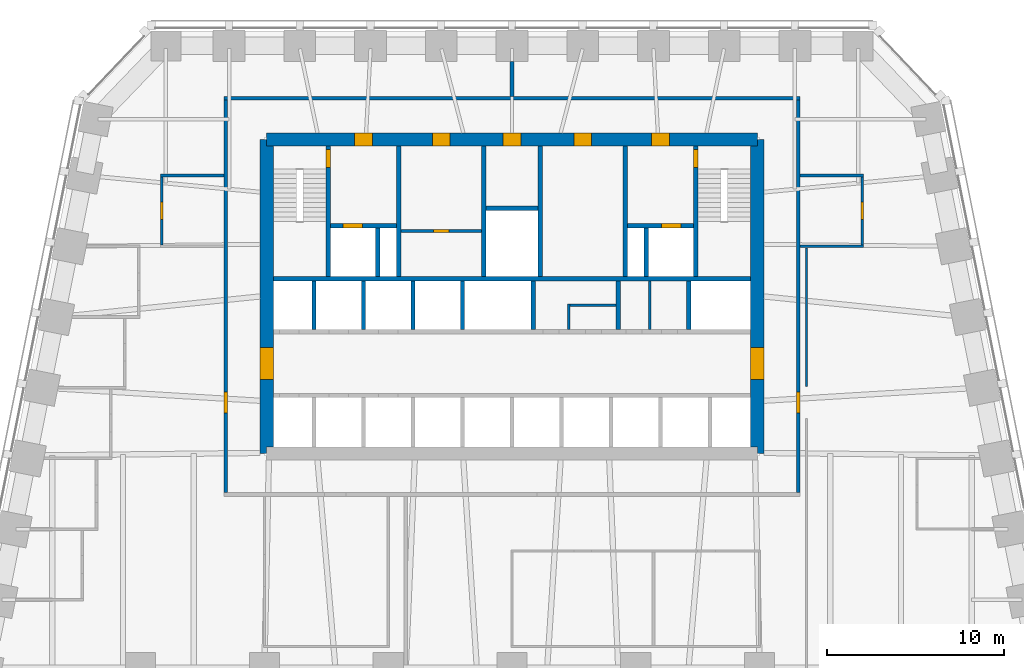
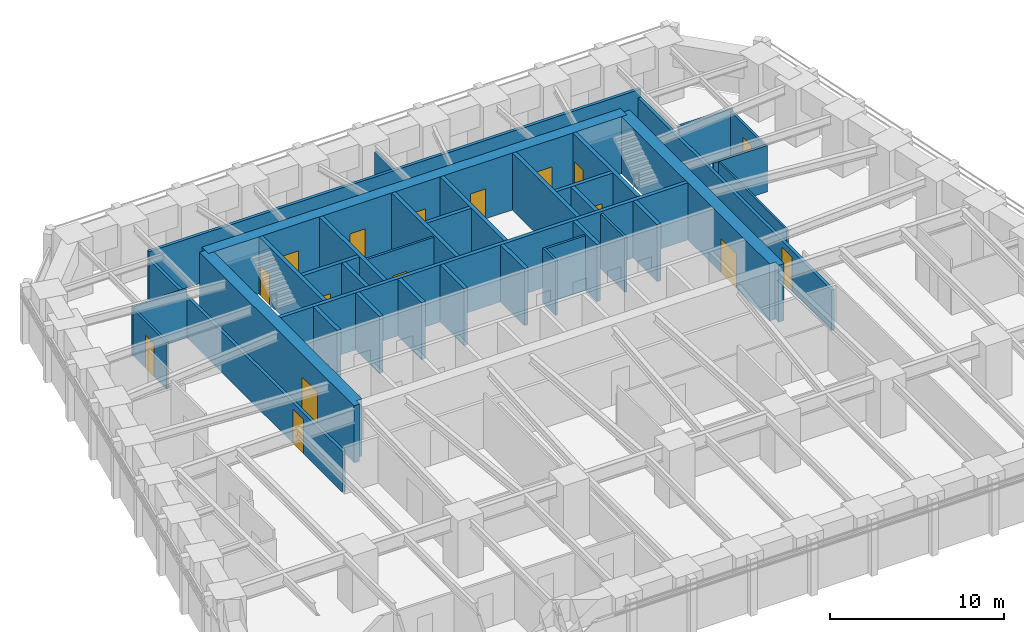
# One storey, part 7 of 10: 36 walls, 16 doors, 16 openings.
"""IFC4 building model written with IfcOpenShell, lengths in metres."""

import ifcopenshell
import ifcopenshell.guid

model = None  # the IFC model being written
_history = None  # IfcOwnerHistory: only IFC2X3 demands one
_inside = {}  # id of a spatial element -> (the spatial element, [elements in it])
_under = {}  # id of a project, library or spatial element -> (it, [spatial elements below it])
_declared = {}  # id of a project -> (the project, [libraries it declares])
_typed = {}  # id of a type object -> (the type object, [elements of that type])
_made_of = {}  # id of a material, layer set ... -> (it, [elements and type objects made of it])


def new_model(schema):
    """Start an empty IFC model of exactly this schema.

    Asked for "IFC4X3", IfcOpenShell would pick the latest addendum, in which some entities
    have other attributes; the version numbers below select the first issue.
    IFC2X3 requires an IfcOwnerHistory on every rooted entity: one is made here for all.
    """
    global model, _history
    if schema == "IFC4X3":
        model = ifcopenshell.file(schema_version=(4, 3, 0, 0))
    else:
        model = ifcopenshell.file(schema=schema)
    _inside.clear()
    _under.clear()
    _declared.clear()
    _typed.clear()
    _made_of.clear()
    _history = None
    if model.schema == "IFC2X3":
        org = make("IfcOrganization", Name="unknown")
        user = make(
            "IfcPersonAndOrganization",
            ThePerson=make("IfcPerson", FamilyName="unknown"),
            TheOrganization=org,
        )
        app = make(
            "IfcApplication",
            ApplicationDeveloper=org,
            Version="unknown",
            ApplicationFullName="unknown",
            ApplicationIdentifier="unknown",
        )
        _history = make(
            "IfcOwnerHistory",
            OwningUser=user,
            OwningApplication=app,
            ChangeAction="ADDED",
            CreationDate=0,
        )
    return model


def make(cls, **values):
    """One entity of the class cls with the attributes given. An attribute that is None is left unset."""
    return model.create_entity(
        cls, **{name: value for name, value in values.items() if value is not None}
    )


def rooted(cls, **values):
    """An entity with a GlobalId (a new one), such as an element, a storey or a relation."""
    return make(cls, GlobalId=ifcopenshell.guid.new(), OwnerHistory=_history, **values)


def si_unit(unit_type, name, prefix=None):
    """IfcSIUnit, for example si_unit("LENGTHUNIT", "METRE", prefix="MILLI")."""
    return make("IfcSIUnit", UnitType=unit_type, Prefix=prefix, Name=name)


def assignment(units):
    """IfcUnitAssignment: the units of a project."""
    return None if units is None else make("IfcUnitAssignment", Units=units)


def point(xyz):
    """IfcCartesianPoint."""
    return None if xyz is None else make("IfcCartesianPoint", Coordinates=xyz)


def direction(xyz):
    """IfcDirection."""
    return None if xyz is None else make("IfcDirection", DirectionRatios=xyz)


def frame(location, z_axis=None, x_axis=None):
    """IfcAxis2Placement3D, a coordinate frame: its origin and axes. An axis left out is left unset."""
    return make(
        "IfcAxis2Placement3D",
        Location=point(location),
        Axis=direction(z_axis),
        RefDirection=direction(x_axis),
    )


def frame_2d(location, x_axis=None):
    """IfcAxis2Placement2D, a coordinate frame in the plane: its origin and x axis."""
    return make(
        "IfcAxis2Placement2D", Location=point(location), RefDirection=direction(x_axis)
    )


def origin():
    """The frame at (0, 0, 0) with its axes left unset."""
    return frame((0.0, 0.0, 0.0))


def place(relative_to, where):
    """IfcLocalPlacement: puts the frame where relative to a parent placement (None: the world)."""
    return make(
        "IfcLocalPlacement", PlacementRelTo=relative_to, RelativePlacement=where
    )


def context(
    kind, dimensions, precision=None, world=None, true_north=None, identifier=None
):
    """IfcGeometricRepresentationContext, for example the 3D "Model" context."""
    return make(
        "IfcGeometricRepresentationContext",
        ContextIdentifier=identifier,
        ContextType=kind,
        CoordinateSpaceDimension=dimensions,
        Precision=precision,
        WorldCoordinateSystem=world,
        TrueNorth=true_north,
    )


def subcontext(parent, identifier, kind, view, scale=None):
    """IfcGeometricRepresentationSubContext, for example "Body" below "Model"."""
    return make(
        "IfcGeometricRepresentationSubContext",
        ContextIdentifier=identifier,
        ContextType=kind,
        ParentContext=parent,
        TargetScale=scale,
        TargetView=view,
    )


def project(units=None, contexts=None):
    """IfcProject with its units and contexts."""
    return rooted(
        "IfcProject",
        Name="project",
        RepresentationContexts=contexts,
        UnitsInContext=assignment(units),
    )


def spatial(cls, under=None, at=None, **own):
    """A site, building, storey or space (cls), placed at a placement, below another one or the project."""
    s = rooted(cls, ObjectPlacement=at, **own)
    if under is not None:
        _under.setdefault(under.id(), (under, []))[1].append(s)
    return s


def polyline(points):
    """IfcPolyline through the points."""
    return make("IfcPolyline", Points=[point(p) for p in points])


def profile(cls, at=None, kind="AREA", **sizes):
    """A parametric profile (cls). Its sizes go by their IFC names, for example OverallWidth=200.0."""
    return make(cls, ProfileType=kind, Position=at, **sizes)


def rectangle(**sizes):
    """IfcRectangleProfileDef."""
    return profile("IfcRectangleProfileDef", **sizes)


def outline(outer, holes=None, kind="AREA"):
    """IfcArbitraryClosedProfileDef: a profile drawn as a closed curve; with holes, ...WithVoids."""
    if holes is None:
        return make("IfcArbitraryClosedProfileDef", ProfileType=kind, OuterCurve=outer)
    return make(
        "IfcArbitraryProfileDefWithVoids",
        ProfileType=kind,
        OuterCurve=outer,
        InnerCurves=holes,
    )


def extrude(swept, where, along, depth):
    """IfcExtrudedAreaSolid: the profile swept, set in the frame where, extruded along a direction by depth."""
    return make(
        "IfcExtrudedAreaSolid",
        SweptArea=swept,
        Position=where,
        ExtrudedDirection=direction(along),
        Depth=depth,
    )


def shape(context_of_items, identifier, shape_type, items):
    """IfcShapeRepresentation: the items that make up one representation, for example the "Body"."""
    return make(
        "IfcShapeRepresentation",
        ContextOfItems=context_of_items,
        RepresentationIdentifier=identifier,
        RepresentationType=shape_type,
        Items=items,
    )


def material(Name=None, Category=None):
    """IfcMaterial."""
    return make("IfcMaterial", Name=Name, Category=Category)


def layer(
    of_material, thickness, ventilated=None, Name=None, Category=None, Priority=None
):
    """IfcMaterialLayer: one layer of a wall or slab, of a material (None: an air gap)."""
    return make(
        "IfcMaterialLayer",
        Material=of_material,
        LayerThickness=thickness,
        IsVentilated=ventilated,
        Name=Name,
        Category=Category,
        Priority=Priority,
    )


def layer_set(layers, Name=None):
    """IfcMaterialLayerSet."""
    return make("IfcMaterialLayerSet", MaterialLayers=layers, LayerSetName=Name)


def made_of(thing, what):
    """Note that an element or type object is made of a material, layer set ...; save() writes the relation."""
    if what is not None:
        _made_of.setdefault(what.id(), (what, []))[1].append(thing)
    return thing


def type_object(cls, material=None, **own):
    """A type object (cls), such as IfcWallType, which elements share."""
    return made_of(rooted(cls, **own), material)


def element(
    cls,
    number,
    at=None,
    inside=None,
    cuts=None,
    type_object=None,
    material=None,
    context=None,
    identifier="Body",
    shape_type=None,
    held_by="IfcProductDefinitionShape",
    body=None,
    shapes=None,
    **own,
):
    """One element of the class cls, such as IfcWall. Its Tag is "e" and its number.

    at: its placement. inside: the storey or other place that contains it. cuts: it is an
    opening in that element (IfcRelVoidsElement). A single representation is given by context,
    identifier, shape_type and body (its items); several are given by shapes. held_by: the class
    of the entity that holds the representations. save() writes the other relations.
    """
    e = rooted(cls, Tag="e%d" % number, ObjectPlacement=at, **own)
    if body is not None:
        shapes = [shape(context, identifier, shape_type, body)]
    if shapes is not None:
        e.Representation = make(held_by, Representations=shapes)
    if inside is not None:
        _inside.setdefault(inside.id(), (inside, []))[1].append(e)
    if cuts is not None:
        rooted(
            "IfcRelVoidsElement", RelatingBuildingElement=cuts, RelatedOpeningElement=e
        )
    if type_object is not None:
        _typed.setdefault(type_object.id(), (type_object, []))[1].append(e)
    return made_of(e, material)


def fill(opening, filler):
    """IfcRelFillsElement: the door or window that sits in an opening."""
    return rooted(
        "IfcRelFillsElement",
        RelatingOpeningElement=opening,
        RelatedBuildingElement=filler,
    )


def aggregate(whole, parts):
    """IfcRelAggregates: a whole, such as a stair, and the parts it consists of."""
    return rooted("IfcRelAggregates", RelatingObject=whole, RelatedObjects=parts)


def save(model, path):
    """Write the relations noted so far, then the file.

    IfcRelAggregates (storeys below a building ...), IfcRelContainedInSpatialStructure (elements
    in a storey), IfcRelDefinesByType, IfcRelAssociatesMaterial and IfcRelDeclares: one each for
    every whole, place, type object, material and project.
    """
    for whole, parts in _under.values():
        aggregate(whole, parts)
    for where, things in _inside.values():
        rooted(
            "IfcRelContainedInSpatialStructure",
            RelatedElements=things,
            RelatingStructure=where,
        )
    for kind, things in _typed.values():
        rooted("IfcRelDefinesByType", RelatedObjects=things, RelatingType=kind)
    for what, things in _made_of.values():
        rooted("IfcRelAssociatesMaterial", RelatedObjects=things, RelatingMaterial=what)
    for by, libraries in _declared.values():
        rooted("IfcRelDeclares", RelatingContext=by, RelatedDefinitions=libraries)
    model.write(path)


model = new_model("IFC4")

# Units and contexts
model_context = context("Model", 3, precision=1e-05, world=origin(), true_north=direction((0.0, 1.0)))
body_context = subcontext(model_context, "Body", "Model", "MODEL_VIEW")
ifc_project = project(units=[si_unit("LENGTHUNIT", "METRE"), si_unit("AREAUNIT", "SQUARE_METRE"), si_unit("VOLUMEUNIT", "CUBIC_METRE"), si_unit("PLANEANGLEUNIT", "RADIAN"), si_unit("MASSUNIT", "GRAM", prefix="KILO")], contexts=[model_context])

# Site, building, storey
site_placement = place(None, origin())
site = spatial("IfcSite", under=ifc_project, at=site_placement, CompositionType="ELEMENT")
building_placement = place(site_placement, origin())
building = spatial("IfcBuilding", under=site, at=building_placement, Name="Isbrekke Arena Tower", CompositionType="ELEMENT")
storey_placement = place(building_placement, frame((0.0, 0.0, 107.0)))
storey = spatial("IfcBuildingStorey", under=building, at=storey_placement, Name="L23", CompositionType="ELEMENT", Elevation=107.0)

# Wall, opening, door
ifc_material_1 = material(Name="Concrete B55 (C55/67)", Category="concrete")
ifc_layer_1 = layer(ifc_material_1, 0.75)
ifc_layer_set_1 = layer_set([ifc_layer_1], Name="CW3 CORE WALL 750")
wall_type_1 = type_object("IfcWallType", Name="CW3 CORE WALL 750", PredefinedType="SHEAR", material=ifc_layer_set_1)
wall_1_placement = place(storey_placement, frame((13.875, 6.125, 0.0), z_axis=(0.0, 0.0, 1.0), x_axis=(0.0, 1.0, 0.0)))
wall_1 = element("IfcWall", 1, at=wall_1_placement, inside=storey, type_object=wall_type_1, Name="Core wall E L23", PredefinedType="SHEAR", context=body_context, shape_type="SweptSolid", body=[
    extrude(outline(polyline([(0.0, -0.375), (17.75, -0.375), (17.75, 0.0), (17.375, 0.0), (17.375, 0.375), (0.375, 0.375), (0.375, 0.0), (0.0, 0.0), (0.0, -0.375)])), origin(), (0.0, 0.0, 1.0), 4.0),
])
opening_1_placement = place(wall_1_placement, frame((4.175048828125, 0.0, 0.0)))
opening_1 = element("IfcOpeningElement", 2, at=opening_1_placement, cuts=wall_1, Name="Opening D1", PredefinedType="OPENING", context=body_context, shape_type="SweptSolid", body=[
    extrude(rectangle(XDim=1.800048828125, YDim=2.39990234375, at=frame_2d((0.89990234375, 1.199951171875))), frame((0.0, 0.389892578125, 0.0), z_axis=(0.0, -1.0, 0.0), x_axis=(1.0, 0.0, 0.0)), (0.0, 0.0, 1.0), 0.77978515625),
])
ifc_material_2 = material(Name="Steel-framed glazed fire door", Category="steel")
door_type_1 = type_object("IfcDoorType", Name="D1 CORE LOBBY DOOR 1800 x 2400", OperationType="DOUBLE_DOOR_SINGLE_SWING", PredefinedType="DOOR", material=ifc_material_2)
door_1_placement = place(opening_1_placement, origin())
door_1 = element("IfcDoor", 3, at=door_1_placement, inside=storey, type_object=door_type_1, Name="D1 lift lobby door east L23", OperationType="DOUBLE_DOOR_SINGLE_SWING", OverallHeight=2.39990234375, OverallWidth=1.800048828125, PredefinedType="DOOR", context=body_context, shape_type="SweptSolid", body=[
    extrude(rectangle(XDim=1.800048828125, YDim=2.39990234375, at=frame_2d((0.89990234375, 1.199951171875))), frame((0.0, 0.374755859375, 0.0), z_axis=(0.0, -1.0, 0.0), x_axis=(1.0, 0.0, 0.0)), (0.0, 0.0, 1.0), 0.74951171875),
])
fill(opening_1, door_1)

# Wall, openings, doors
wall_2_placement = place(storey_placement, frame((13.875, 23.875, 0.0), z_axis=(0.0, 0.0, 1.0), x_axis=(-1.0, 0.0, 0.0)))
wall_2 = element("IfcWall", 4, at=wall_2_placement, inside=storey, type_object=wall_type_1, Name="Core wall N L23", PredefinedType="SHEAR", context=body_context, shape_type="SweptSolid", body=[
    extrude(rectangle(XDim=27.75, YDim=0.75, at=frame_2d((13.875, 0.0))), origin(), (0.0, 0.0, 1.0), 4.0),
])
opening_2_placement = place(wall_2_placement, frame((21.77490234375, 0.0, 0.0)))
opening_2 = element("IfcOpeningElement", 5, at=opening_2_placement, cuts=wall_2, Name="Opening D3", PredefinedType="OPENING", context=body_context, shape_type="SweptSolid", body=[
    extrude(rectangle(XDim=1.0, YDim=2.10009765625, at=frame_2d((0.5, 1.050048828125))), frame((0.0, 0.389892578125, 0.0), z_axis=(0.0, -1.0, 0.0), x_axis=(1.0, 0.0, 0.0)), (0.0, 0.0, 1.0), 0.77978515625),
])
opening_3_placement = place(wall_2_placement, frame((4.97509765625, 0.0, 0.0)))
opening_3 = element("IfcOpeningElement", 6, at=opening_3_placement, cuts=wall_2, Name="Opening D3", PredefinedType="OPENING", context=body_context, shape_type="SweptSolid", body=[
    extrude(rectangle(XDim=1.0, YDim=2.10009765625, at=frame_2d((0.5, 1.050048828125))), frame((0.0, 0.389892578125, 0.0), z_axis=(0.0, -1.0, 0.0), x_axis=(1.0, 0.0, 0.0)), (0.0, 0.0, 1.0), 0.77978515625),
])
opening_4_placement = place(wall_2_placement, frame((17.375, 0.0, 0.0)))
opening_4 = element("IfcOpeningElement", 7, at=opening_4_placement, cuts=wall_2, Name="Opening D4", PredefinedType="OPENING", context=body_context, shape_type="SweptSolid", body=[
    extrude(rectangle(XDim=1.0, YDim=2.10009765625, at=frame_2d((0.5, 1.050048828125))), frame((0.0, 0.389892578125, 0.0), z_axis=(0.0, -1.0, 0.0), x_axis=(1.0, 0.0, 0.0)), (0.0, 0.0, 1.0), 0.77978515625),
])
opening_5_placement = place(wall_2_placement, frame((13.375, 0.0, 0.0)))
opening_5 = element("IfcOpeningElement", 8, at=opening_5_placement, cuts=wall_2, Name="Opening D4", PredefinedType="OPENING", context=body_context, shape_type="SweptSolid", body=[
    extrude(rectangle(XDim=1.0, YDim=2.10009765625, at=frame_2d((0.5, 1.050048828125))), frame((0.0, 0.389892578125, 0.0), z_axis=(0.0, -1.0, 0.0), x_axis=(1.0, 0.0, 0.0)), (0.0, 0.0, 1.0), 0.77978515625),
])
opening_6_placement = place(wall_2_placement, frame((9.375, 0.0, 0.0)))
opening_6 = element("IfcOpeningElement", 9, at=opening_6_placement, cuts=wall_2, Name="Opening D4", PredefinedType="OPENING", context=body_context, shape_type="SweptSolid", body=[
    extrude(rectangle(XDim=1.0, YDim=2.10009765625, at=frame_2d((0.5, 1.050048828125))), frame((0.0, 0.389892578125, 0.0), z_axis=(0.0, -1.0, 0.0), x_axis=(1.0, 0.0, 0.0)), (0.0, 0.0, 1.0), 0.77978515625),
])
ifc_material_3 = material(Name="Steel fire door", Category="steel")
door_type_2 = type_object("IfcDoorType", Name="D3 FIRE LOBBY DOOR 1000 x 2100", OperationType="SINGLE_SWING_RIGHT", PredefinedType="DOOR", material=ifc_material_3)
door_2_placement = place(opening_2_placement, origin())
door_2 = element("IfcDoor", 10, at=door_2_placement, inside=storey, type_object=door_type_2, Name="D3 fire-fighting lobby door L23", OperationType="SINGLE_SWING_RIGHT", OverallHeight=2.10009765625, OverallWidth=1.0, PredefinedType="DOOR", context=body_context, shape_type="SweptSolid", body=[
    extrude(rectangle(XDim=1.0, YDim=2.10009765625, at=frame_2d((0.5, 1.050048828125))), frame((0.0, 0.374755859375, 0.0), z_axis=(0.0, -1.0, 0.0), x_axis=(1.0, 0.0, 0.0)), (0.0, 0.0, 1.0), 0.74951171875),
])
fill(opening_2, door_2)
door_3_placement = place(opening_3_placement, origin())
door_3 = element("IfcDoor", 11, at=door_3_placement, inside=storey, type_object=door_type_2, Name="D3 fire-fighting lobby door L23", OperationType="SINGLE_SWING_RIGHT", OverallHeight=2.10009765625, OverallWidth=1.0, PredefinedType="DOOR", context=body_context, shape_type="SweptSolid", body=[
    extrude(rectangle(XDim=1.0, YDim=2.10009765625, at=frame_2d((0.5, 1.050048828125))), frame((0.0, 0.374755859375, 0.0), z_axis=(0.0, -1.0, 0.0), x_axis=(1.0, 0.0, 0.0)), (0.0, 0.0, 1.0), 0.74951171875),
])
fill(opening_3, door_3)
ifc_material_4 = material(Name="Timber door", Category="wood")
door_type_3 = type_object("IfcDoorType", Name="D4 WC DOOR 1000 x 2100", OperationType="SINGLE_SWING_LEFT", PredefinedType="DOOR", material=ifc_material_4)
door_4_placement = place(opening_4_placement, origin())
door_4 = element("IfcDoor", 12, at=door_4_placement, inside=storey, type_object=door_type_3, Name="D4 wc female door L23", OperationType="SINGLE_SWING_LEFT", OverallHeight=2.10009765625, OverallWidth=1.0, PredefinedType="DOOR", context=body_context, shape_type="SweptSolid", body=[
    extrude(rectangle(XDim=1.0, YDim=2.10009765625, at=frame_2d((0.5, 1.050048828125))), frame((0.0, 0.374755859375, 0.0), z_axis=(0.0, -1.0, 0.0), x_axis=(1.0, 0.0, 0.0)), (0.0, 0.0, 1.0), 0.74951171875),
])
fill(opening_4, door_4)
door_5_placement = place(opening_5_placement, origin())
door_5 = element("IfcDoor", 13, at=door_5_placement, inside=storey, type_object=door_type_3, Name="D4 accessible wc door L23", OperationType="SINGLE_SWING_LEFT", OverallHeight=2.10009765625, OverallWidth=1.0, PredefinedType="DOOR", context=body_context, shape_type="SweptSolid", body=[
    extrude(rectangle(XDim=1.0, YDim=2.10009765625, at=frame_2d((0.5, 1.050048828125))), frame((0.0, 0.374755859375, 0.0), z_axis=(0.0, -1.0, 0.0), x_axis=(1.0, 0.0, 0.0)), (0.0, 0.0, 1.0), 0.74951171875),
])
fill(opening_5, door_5)
door_6_placement = place(opening_6_placement, origin())
door_6 = element("IfcDoor", 14, at=door_6_placement, inside=storey, type_object=door_type_3, Name="D4 wc male door L23", OperationType="SINGLE_SWING_LEFT", OverallHeight=2.10009765625, OverallWidth=1.0, PredefinedType="DOOR", context=body_context, shape_type="SweptSolid", body=[
    extrude(rectangle(XDim=1.0, YDim=2.10009765625, at=frame_2d((0.5, 1.050048828125))), frame((0.0, 0.374755859375, 0.0), z_axis=(0.0, -1.0, 0.0), x_axis=(1.0, 0.0, 0.0)), (0.0, 0.0, 1.0), 0.74951171875),
])
fill(opening_6, door_6)

# Wall, opening, door
wall_3_placement = place(storey_placement, frame((-13.875, 23.875, 0.0), z_axis=(0.0, 0.0, 1.0), x_axis=(0.0, -1.0, 0.0)))
wall_3 = element("IfcWall", 15, at=wall_3_placement, inside=storey, type_object=wall_type_1, Name="Core wall W L23", PredefinedType="SHEAR", context=body_context, shape_type="SweptSolid", body=[
    extrude(outline(polyline([(0.0, -0.375), (17.75, -0.375), (17.75, 0.0), (17.375, 0.0), (17.375, 0.375), (0.375, 0.375), (0.375, 0.0), (0.0, 0.0), (0.0, -0.375)])), origin(), (0.0, 0.0, 1.0), 4.0),
])
opening_7_placement = place(wall_3_placement, frame((11.77490234375, 0.0, 0.0)))
opening_7 = element("IfcOpeningElement", 16, at=opening_7_placement, cuts=wall_3, Name="Opening D1", PredefinedType="OPENING", context=body_context, shape_type="SweptSolid", body=[
    extrude(rectangle(XDim=1.800048828125, YDim=2.39990234375, at=frame_2d((0.89990234375, 1.199951171875))), frame((0.0, 0.389892578125, 0.0), z_axis=(0.0, -1.0, 0.0), x_axis=(1.0, 0.0, 0.0)), (0.0, 0.0, 1.0), 0.77978515625),
])
door_7_placement = place(opening_7_placement, origin())
door_7 = element("IfcDoor", 17, at=door_7_placement, inside=storey, type_object=door_type_1, Name="D1 lift lobby door west L23", OperationType="DOUBLE_DOOR_SINGLE_SWING", OverallHeight=2.39990234375, OverallWidth=1.800048828125, PredefinedType="DOOR", context=body_context, shape_type="SweptSolid", body=[
    extrude(rectangle(XDim=1.800048828125, YDim=2.39990234375, at=frame_2d((0.89990234375, 1.199951171875))), frame((0.0, 0.374755859375, 0.0), z_axis=(0.0, -1.0, 0.0), x_axis=(1.0, 0.0, 0.0)), (0.0, 0.0, 1.0), 0.74951171875),
])
fill(opening_7, door_7)

# Walls
ifc_material_5 = material(Name="Concrete B45 (C45/55)", Category="concrete")
ifc_layer_2 = layer(ifc_material_5, 0.25)
ifc_layer_set_2 = layer_set([ifc_layer_2], Name="CW6 SHAFT WALL 250")
wall_type_2 = type_object("IfcWallType", Name="CW6 SHAFT WALL 250", PredefinedType="SHEAR", material=ifc_layer_set_2)
wall_4_placement = place(storey_placement, frame((-13.5, 16.0, 0.0), z_axis=(0.0, 0.0, 1.0), x_axis=(1.0, 0.0, 0.0)))
element("IfcWall", 18, at=wall_4_placement, inside=storey, type_object=wall_type_2, Name="Core wall NB L23", PredefinedType="SHEAR", context=body_context, shape_type="SweptSolid", body=[
    extrude(rectangle(XDim=27.0, YDim=0.25, at=frame_2d((13.5, 0.0))), origin(), (0.0, 0.0, 1.0), 4.0),
])
for number, where, z_axis, x_axis, name in (
    (19, (-11.199951171875, 13.125, 0.0), (0.0, 0.0, 1.0), (0.0, 1.0, 0.0), "Core wall SN01 L23"),
    (20, (-8.39990234375, 13.125, 0.0), (0.0, 0.0, 1.0), (0.0, 1.0, 0.0), "Core wall SN02 L23"),
    (21, (-5.60009765625, 13.125, 0.0), (0.0, 0.0, 1.0), (0.0, 1.0, 0.0), "Core wall SN03 L23"),
    (22, (-2.800048828125, 13.125, 0.0), (0.0, 0.0, 1.0), (0.0, 1.0, 0.0), "Core wall SN04 L23"),
    (23, (1.199951171875, 13.125, 0.0), (0.0, 0.0, 1.0), (0.0, 1.0, 0.0), "Core wall SN05 L23"),
    (24, (6.0, 13.125, 0.0), (0.0, 0.0, 1.0), (0.0, 1.0, 0.0), "Core wall SN06 L23"),
    (25, (10.0, 13.125, 0.0), (0.0, 0.0, 1.0), (0.0, 1.0, 0.0), "Core wall SN07 L23"),
):
    element("IfcWall", number, at=place(storey_placement, frame(where, z_axis=z_axis, x_axis=x_axis)), inside=storey, type_object=wall_type_2, Name=name, PredefinedType="SHEAR", context=body_context, shape_type="SweptSolid", body=[
        extrude(rectangle(XDim=2.75, YDim=0.25, at=frame_2d((1.375, 0.0))), origin(), (0.0, 0.0, 1.0), 4.0),
    ])

# Wall, opening, door
wall_5_placement = place(storey_placement, frame((-10.39990234375, 16.125, 0.0), z_axis=(0.0, 0.0, 1.0), x_axis=(0.0, 1.0, 0.0)))
wall_5 = element("IfcWall", 26, at=wall_5_placement, inside=storey, type_object=wall_type_2, Name="Core wall NV01 L23", PredefinedType="SHEAR", context=body_context, shape_type="SweptSolid", body=[
    extrude(rectangle(XDim=7.375, YDim=0.25, at=frame_2d((3.6875, 0.0))), origin(), (0.0, 0.0, 1.0), 4.0),
])
opening_8_placement = place(wall_5_placement, frame((6.175048828125, 0.0, 0.0)))
opening_8 = element("IfcOpeningElement", 27, at=opening_8_placement, cuts=wall_5, Name="Opening D2", PredefinedType="OPENING", context=body_context, shape_type="SweptSolid", body=[
    extrude(rectangle(XDim=1.0, YDim=2.10009765625, at=frame_2d((0.5, 1.050048828125))), frame((0.0, 0.139892578125, 0.0), z_axis=(0.0, -1.0, 0.0), x_axis=(1.0, 0.0, 0.0)), (0.0, 0.0, 1.0), 0.27978515625),
])
ifc_material_6 = material(Name="Steel fire door", Category="steel")
door_type_4 = type_object("IfcDoorType", Name="D2 STAIR DOOR 1000 x 2100", OperationType="SINGLE_SWING_LEFT", PredefinedType="DOOR", material=ifc_material_6)
door_8_placement = place(opening_8_placement, origin())
door_8 = element("IfcDoor", 28, at=door_8_placement, inside=storey, type_object=door_type_4, Name="D2 stair door ST1 L23", OperationType="SINGLE_SWING_LEFT", OverallHeight=2.10009765625, OverallWidth=1.0, PredefinedType="DOOR", context=body_context, shape_type="SweptSolid", body=[
    extrude(rectangle(XDim=1.0, YDim=2.10009765625, at=frame_2d((0.5, 1.050048828125))), frame((0.0, 0.124755859375, 0.0), z_axis=(0.0, -1.0, 0.0), x_axis=(1.0, 0.0, 0.0)), (0.0, 0.0, 1.0), 0.24951171875),
])
fill(opening_8, door_8)

# Walls
for number, where, z_axis, x_axis, name in (
    (29, (-6.39990234375, 16.125, 0.0), (0.0, 0.0, 1.0), (0.0, 1.0, 0.0), "Core wall NV02 L23"),
    (30, (-1.60009765625, 16.125, 0.0), (0.0, 0.0, 1.0), (0.0, 1.0, 0.0), "Core wall NV03 L23"),
    (31, (1.60009765625, 16.125, 0.0), (0.0, 0.0, 1.0), (0.0, 1.0, 0.0), "Core wall NV04 L23"),
    (32, (6.39990234375, 16.125, 0.0), (0.0, 0.0, 1.0), (0.0, 1.0, 0.0), "Core wall NV05 L23"),
):
    element("IfcWall", number, at=place(storey_placement, frame(where, z_axis=z_axis, x_axis=x_axis)), inside=storey, type_object=wall_type_2, Name=name, PredefinedType="SHEAR", context=body_context, shape_type="SweptSolid", body=[
        extrude(rectangle(XDim=7.375, YDim=0.25, at=frame_2d((3.6875, 0.0))), origin(), (0.0, 0.0, 1.0), 4.0),
    ])

# Wall, opening, door
wall_6_placement = place(storey_placement, frame((10.39990234375, 16.125, 0.0), z_axis=(0.0, 0.0, 1.0), x_axis=(0.0, 1.0, 0.0)))
wall_6 = element("IfcWall", 33, at=wall_6_placement, inside=storey, type_object=wall_type_2, Name="Core wall NV06 L23", PredefinedType="SHEAR", context=body_context, shape_type="SweptSolid", body=[
    extrude(rectangle(XDim=7.375, YDim=0.25, at=frame_2d((3.6875, 0.0))), origin(), (0.0, 0.0, 1.0), 4.0),
])
opening_9_placement = place(wall_6_placement, frame((6.175048828125, 0.0, 0.0)))
opening_9 = element("IfcOpeningElement", 34, at=opening_9_placement, cuts=wall_6, Name="Opening D2", PredefinedType="OPENING", context=body_context, shape_type="SweptSolid", body=[
    extrude(rectangle(XDim=1.0, YDim=2.10009765625, at=frame_2d((0.5, 1.050048828125))), frame((0.0, 0.139892578125, 0.0), z_axis=(0.0, -1.0, 0.0), x_axis=(1.0, 0.0, 0.0)), (0.0, 0.0, 1.0), 0.27978515625),
])
door_9_placement = place(opening_9_placement, origin())
door_9 = element("IfcDoor", 35, at=door_9_placement, inside=storey, type_object=door_type_4, Name="D2 stair door ST2 L23", OperationType="SINGLE_SWING_LEFT", OverallHeight=2.10009765625, OverallWidth=1.0, PredefinedType="DOOR", context=body_context, shape_type="SweptSolid", body=[
    extrude(rectangle(XDim=1.0, YDim=2.10009765625, at=frame_2d((0.5, 1.050048828125))), frame((0.0, 0.124755859375, 0.0), z_axis=(0.0, -1.0, 0.0), x_axis=(1.0, 0.0, 0.0)), (0.0, 0.0, 1.0), 0.24951171875),
])
fill(opening_9, door_9)

wall_7_placement = place(storey_placement, frame((-10.27490234375, 19.0, 0.0), z_axis=(0.0, 0.0, 1.0), x_axis=(1.0, 0.0, 0.0)))
wall_7 = element("IfcWall", 36, at=wall_7_placement, inside=storey, type_object=wall_type_2, Name="Core wall NFW L23", PredefinedType="SHEAR", context=body_context, shape_type="SweptSolid", body=[
    extrude(rectangle(XDim=3.75, YDim=0.25, at=frame_2d((1.875, 0.0))), origin(), (0.0, 0.0, 1.0), 4.0),
])
opening_10_placement = place(wall_7_placement, frame((0.72509765625, 0.0, 0.0)))
opening_10 = element("IfcOpeningElement", 37, at=opening_10_placement, cuts=wall_7, Name="Opening LD2", PredefinedType="OPENING", context=body_context, shape_type="SweptSolid", body=[
    extrude(rectangle(XDim=1.10009765625, YDim=2.10009765625, at=frame_2d((0.550048828125, 1.050048828125))), frame((0.0, 0.139892578125, 0.0), z_axis=(0.0, -1.0, 0.0), x_axis=(1.0, 0.0, 0.0)), (0.0, 0.0, 1.0), 0.27978515625),
])
ifc_material_7 = material(Name="Stainless steel lift landing door", Category="steel")
door_type_5 = type_object("IfcDoorType", Name="LD2 FIRE-FIGHTING LIFT LANDING DOOR 1100 x 2100", OperationType="SLIDING_TO_RIGHT", PredefinedType="DOOR", material=ifc_material_7)
door_10_placement = place(opening_10_placement, origin())
door_10 = element("IfcDoor", 38, at=door_10_placement, inside=storey, type_object=door_type_5, Name="LD2 lift landing door LF L23", OperationType="SLIDING_TO_RIGHT", OverallHeight=2.10009765625, OverallWidth=1.10009765625, PredefinedType="DOOR", context=body_context, shape_type="SweptSolid", body=[
    extrude(rectangle(XDim=1.10009765625, YDim=2.10009765625, at=frame_2d((0.550048828125, 1.050048828125))), frame((0.0, 0.124755859375, 0.0), z_axis=(0.0, -1.0, 0.0), x_axis=(1.0, 0.0, 0.0)), (0.0, 0.0, 1.0), 0.24951171875),
])
fill(opening_10, door_10)

wall_8_placement = place(storey_placement, frame((6.52490234375, 19.0, 0.0), z_axis=(0.0, 0.0, 1.0), x_axis=(1.0, 0.0, 0.0)))
wall_8 = element("IfcWall", 39, at=wall_8_placement, inside=storey, type_object=wall_type_2, Name="Core wall NFE L23", PredefinedType="SHEAR", context=body_context, shape_type="SweptSolid", body=[
    extrude(rectangle(XDim=3.75, YDim=0.25, at=frame_2d((1.875, 0.0))), origin(), (0.0, 0.0, 1.0), 4.0),
])
opening_11_placement = place(wall_8_placement, frame((1.925048828125, 0.0, 0.0)))
opening_11 = element("IfcOpeningElement", 40, at=opening_11_placement, cuts=wall_8, Name="Opening LD2", PredefinedType="OPENING", context=body_context, shape_type="SweptSolid", body=[
    extrude(rectangle(XDim=1.10009765625, YDim=2.10009765625, at=frame_2d((0.550048828125, 1.050048828125))), frame((0.0, 0.139892578125, 0.0), z_axis=(0.0, -1.0, 0.0), x_axis=(1.0, 0.0, 0.0)), (0.0, 0.0, 1.0), 0.27978515625),
])
door_11_placement = place(opening_11_placement, origin())
door_11 = element("IfcDoor", 41, at=door_11_placement, inside=storey, type_object=door_type_5, Name="LD2 lift landing door LF L23", OperationType="SLIDING_TO_RIGHT", OverallHeight=2.10009765625, OverallWidth=1.10009765625, PredefinedType="DOOR", context=body_context, shape_type="SweptSolid", body=[
    extrude(rectangle(XDim=1.10009765625, YDim=2.10009765625, at=frame_2d((0.550048828125, 1.050048828125))), frame((0.0, 0.124755859375, 0.0), z_axis=(0.0, -1.0, 0.0), x_axis=(1.0, 0.0, 0.0)), (0.0, 0.0, 1.0), 0.24951171875),
])
fill(opening_11, door_11)

# Walls
for number, where, z_axis, x_axis, name in (
    (42, (-7.60009765625, 16.125, 0.0), (0.0, 0.0, 1.0), (0.0, 1.0, 0.0), "Core wall NFS1 L23"),
    (43, (7.60009765625, 16.125, 0.0), (0.0, 0.0, 1.0), (0.0, 1.0, 0.0), "Core wall NFS2 L23"),
):
    element("IfcWall", number, at=place(storey_placement, frame(where, z_axis=z_axis, x_axis=x_axis)), inside=storey, type_object=wall_type_2, Name=name, PredefinedType="SHEAR", context=body_context, shape_type="SweptSolid", body=[
        extrude(rectangle(XDim=2.75, YDim=0.25, at=frame_2d((1.375, 0.0))), origin(), (0.0, 0.0, 1.0), 4.0),
    ])
wall_9_placement = place(storey_placement, frame((-1.47509765625, 20.0, 0.0), z_axis=(0.0, 0.0, 1.0), x_axis=(1.0, 0.0, 0.0)))
element("IfcWall", 44, at=wall_9_placement, inside=storey, type_object=wall_type_2, Name="Core wall NWC L23", PredefinedType="SHEAR", context=body_context, shape_type="SweptSolid", body=[
    extrude(rectangle(XDim=2.9501953125, YDim=0.25, at=frame_2d((1.47509765625, 0.0))), origin(), (0.0, 0.0, 1.0), 4.0),
])
ifc_material_8 = material(Name="Gypsum board partition on steel studs", Category="steel")
ifc_layer_3 = layer(ifc_material_8, 0.14990234375)
ifc_layer_set_3 = layer_set([ifc_layer_3], Name="IW1 PARTITION 150")
wall_type_3 = type_object("IfcWallType", Name="IW1 PARTITION 150", PredefinedType="PARTITIONING", material=ifc_layer_set_3)
wall_10_placement = place(storey_placement, frame((16.300048828125, 17.840087890625, 0.0), z_axis=(0.0, 0.0, 1.0), x_axis=(1.0, 0.0, 0.0)))
element("IfcWall", 45, at=wall_10_placement, inside=storey, type_object=wall_type_3, Name="IW1 partition 150 L23", PredefinedType="PARTITIONING", context=body_context, shape_type="SweptSolid", body=[
    extrude(rectangle(XDim=3.574951171875, YDim=0.14990234375, at=frame_2d((1.78759765625, 0.0))), origin(), (0.0, 0.0, 1.0), 3.25),
])
for number, where, z_axis, x_axis, name in (
    (46, (-19.875, 21.840087890625, 0.0), (0.0, 0.0, 1.0), (1.0, 0.0, 0.0), "IW1 partition 150 L23"),
    (47, (16.300048828125, 21.840087890625, 0.0), (0.0, 0.0, 1.0), (1.0, 0.0, 0.0), "IW1 partition 150 L23"),
):
    element("IfcWall", number, at=place(storey_placement, frame(where, z_axis=z_axis, x_axis=x_axis)), inside=storey, type_object=wall_type_3, Name=name, PredefinedType="PARTITIONING", context=body_context, shape_type="SweptSolid", body=[
        extrude(rectangle(XDim=3.574951171875, YDim=0.14990234375, at=frame_2d((1.78759765625, 0.0))), origin(), (0.0, 0.0, 1.0), 3.39990234375),
    ])

# Wall, opening, door
wall_11_placement = place(storey_placement, frame((-19.800048828125, 17.9150390625, 0.0), z_axis=(0.0, 0.0, 1.0), x_axis=(0.0, 1.0, 0.0)))
wall_11 = element("IfcWall", 48, at=wall_11_placement, inside=storey, type_object=wall_type_3, Name="IW1 partition 150 L23", PredefinedType="PARTITIONING", context=body_context, shape_type="SweptSolid", body=[
    extrude(rectangle(XDim=3.849853515625, YDim=0.14990234375, at=frame_2d((1.9248046875, 0.0))), origin(), (0.0, 0.0, 1.0), 3.25),
])
opening_12_placement = place(wall_11_placement, frame((1.425048828125, 0.0, 0.0)))
opening_12 = element("IfcOpeningElement", 49, at=opening_12_placement, cuts=wall_11, Name="Opening D10", PredefinedType="OPENING", context=body_context, shape_type="SweptSolid", body=[
    extrude(rectangle(XDim=1.0, YDim=2.300048828125, at=frame_2d((0.5, 1.14990234375))), frame((0.0, 0.08984375, 0.0), z_axis=(0.0, -1.0, 0.0), x_axis=(1.0, 0.0, 0.0)), (0.0, 0.0, 1.0), 0.1796875),
])
ifc_material_9 = material(Name="Timber door", Category="wood")
door_type_6 = type_object("IfcDoorType", Name="D10 OFFICE DOOR 1000 x 2300", OperationType="SINGLE_SWING_LEFT", PredefinedType="DOOR", material=ifc_material_9)
door_12_placement = place(opening_12_placement, origin())
door_12 = element("IfcDoor", 50, at=door_12_placement, inside=storey, type_object=door_type_6, Name="D10 pantry door L23", OperationType="SINGLE_SWING_LEFT", OverallHeight=2.300048828125, OverallWidth=1.0, PredefinedType="DOOR", context=body_context, shape_type="SweptSolid", body=[
    extrude(rectangle(XDim=1.0, YDim=2.300048828125, at=frame_2d((0.5, 1.14990234375))), frame((0.0, 0.07470703125, 0.0), z_axis=(0.0, -1.0, 0.0), x_axis=(1.0, 0.0, 0.0)), (0.0, 0.0, 1.0), 0.1494140625),
])
fill(opening_12, door_12)

wall_12_placement = place(storey_placement, frame((19.800048828125, 17.9150390625, 0.0), z_axis=(0.0, 0.0, 1.0), x_axis=(0.0, 1.0, 0.0)))
wall_12 = element("IfcWall", 51, at=wall_12_placement, inside=storey, type_object=wall_type_3, Name="IW1 partition 150 L23", PredefinedType="PARTITIONING", context=body_context, shape_type="SweptSolid", body=[
    extrude(rectangle(XDim=3.849853515625, YDim=0.14990234375, at=frame_2d((1.9248046875, 0.0))), origin(), (0.0, 0.0, 1.0), 3.25),
])
opening_13_placement = place(wall_12_placement, frame((1.425048828125, 0.0, 0.0)))
opening_13 = element("IfcOpeningElement", 52, at=opening_13_placement, cuts=wall_12, Name="Opening D10", PredefinedType="OPENING", context=body_context, shape_type="SweptSolid", body=[
    extrude(rectangle(XDim=1.0, YDim=2.300048828125, at=frame_2d((0.5, 1.14990234375))), frame((0.0, 0.08984375, 0.0), z_axis=(0.0, -1.0, 0.0), x_axis=(1.0, 0.0, 0.0)), (0.0, 0.0, 1.0), 0.1796875),
])
door_13_placement = place(opening_13_placement, origin())
door_13 = element("IfcDoor", 53, at=door_13_placement, inside=storey, type_object=door_type_6, Name="D10 pantry door L23", OperationType="SINGLE_SWING_LEFT", OverallHeight=2.300048828125, OverallWidth=1.0, PredefinedType="DOOR", context=body_context, shape_type="SweptSolid", body=[
    extrude(rectangle(XDim=1.0, YDim=2.300048828125, at=frame_2d((0.5, 1.14990234375))), frame((0.0, 0.07470703125, 0.0), z_axis=(0.0, -1.0, 0.0), x_axis=(1.0, 0.0, 0.0)), (0.0, 0.0, 1.0), 0.1494140625),
])
fill(opening_13, door_13)

# Walls
ifc_material_10 = material(Name="Frameless glazed partition, laminated acoustic glass", Category="glass")
ifc_layer_4 = layer(ifc_material_10, 0.1201171875)
ifc_layer_set_4 = layer_set([ifc_layer_4], Name="IW2 GLAZED PARTITION 120")
wall_type_4 = type_object("IfcWallType", Name="IW2 GLAZED PARTITION 120", PredefinedType="PARTITIONING", material=ifc_layer_set_4)
wall_13_placement = place(storey_placement, frame((16.660888671875, 9.89990234375, 0.0), z_axis=(0.0, 0.0, 1.0), x_axis=(0.0, 1.0, 0.0)))
element("IfcWall", 54, at=wall_13_placement, inside=storey, type_object=wall_type_4, Name="IW2 glazed partition 120 L23", PredefinedType="PARTITIONING", context=body_context, shape_type="SweptSolid", body=[
    extrude(rectangle(XDim=7.84521484375, YDim=0.1201171875, at=frame_2d((3.922607421875, 0.0))), origin(), (0.0, 0.0, 1.0), 3.25),
])
ifc_material_11 = material(Name="Gypsum board fire-cell wall on steel studs, two layers each side", Category="steel")
ifc_layer_5 = layer(ifc_material_11, 0.199951171875)
ifc_layer_set_5 = layer_set([ifc_layer_5], Name="IW3 FIRE-CELL WALL 200")
wall_type_5 = type_object("IfcWallType", Name="IW3 FIRE-CELL WALL 200", PredefinedType="PARTITIONING", material=ifc_layer_set_5)
wall_14_placement = place(storey_placement, frame((-16.300048828125, 26.199951171875, 0.0), z_axis=(0.0, 0.0, 1.0), x_axis=(1.0, 0.0, 0.0)))
element("IfcWall", 55, at=wall_14_placement, inside=storey, type_object=wall_type_5, Name="IW3 fire-cell wall 200 L23", PredefinedType="PARTITIONING", context=body_context, shape_type="SweptSolid", body=[
    extrude(rectangle(XDim=32.60009765625, YDim=0.199951171875, at=frame_2d((16.300048828125, 0.0))), origin(), (0.0, 0.0, 1.0), 3.39990234375),
])

# Wall, opening, door
wall_15_placement = place(storey_placement, frame((-16.199951171875, 3.89990234375, 0.0), z_axis=(0.0, 0.0, 1.0), x_axis=(0.0, 1.0, 0.0)))
wall_15 = element("IfcWall", 56, at=wall_15_placement, inside=storey, type_object=wall_type_5, Name="IW3 fire-cell wall 200 L23", PredefinedType="PARTITIONING", context=body_context, shape_type="SweptSolid", body=[
    extrude(rectangle(XDim=22.2001953125, YDim=0.199951171875, at=frame_2d((11.10009765625, 0.0))), origin(), (0.0, 0.0, 1.0), 2.842041015625),
])
opening_14_placement = place(wall_15_placement, frame((4.5, 0.0, 0.0)))
opening_14 = element("IfcOpeningElement", 57, at=opening_14_placement, cuts=wall_15, Name="Opening D12", PredefinedType="OPENING", context=body_context, shape_type="SweptSolid", body=[
    extrude(rectangle(XDim=1.199951171875, YDim=2.39990234375, at=frame_2d((0.60009765625, 1.199951171875))), frame((0.0, 0.11474609375, 0.0), z_axis=(0.0, -1.0, 0.0), x_axis=(1.0, 0.0, 0.0)), (0.0, 0.0, 1.0), 0.229736328125),
])
ifc_material_12 = material(Name="Timber fire door with vision panel", Category="wood")
door_type_7 = type_object("IfcDoorType", Name="D12 SUITE ENTRANCE DOOR 1200 x 2400", OperationType="SINGLE_SWING_LEFT", PredefinedType="DOOR", material=ifc_material_12)
door_14_placement = place(opening_14_placement, origin())
door_14 = element("IfcDoor", 58, at=door_14_placement, inside=storey, type_object=door_type_7, Name="D12 suite entrance B door L23", OperationType="SINGLE_SWING_LEFT", OverallHeight=2.39990234375, OverallWidth=1.199951171875, PredefinedType="DOOR", context=body_context, shape_type="SweptSolid", body=[
    extrude(rectangle(XDim=1.199951171875, YDim=2.39990234375, at=frame_2d((0.60009765625, 1.199951171875))), frame((0.0, 0.099609375, 0.0), z_axis=(0.0, -1.0, 0.0), x_axis=(1.0, 0.0, 0.0)), (0.0, 0.0, 1.0), 0.199462890625),
])
fill(opening_14, door_14)

# Wall
wall_16_placement = place(storey_placement, frame((0.0, 26.300048828125, 0.0), z_axis=(0.0, 0.0, 1.0), x_axis=(0.0, 1.0, 0.0)))
element("IfcWall", 59, at=wall_16_placement, inside=storey, type_object=wall_type_5, Name="IW3 fire-cell wall 200 L23", PredefinedType="PARTITIONING", context=body_context, shape_type="SweptSolid", body=[
    extrude(rectangle(XDim=1.974853515625, YDim=0.199951171875, at=frame_2d((0.9873046875, 0.0))), origin(), (0.0, 0.0, 1.0), 3.39990234375),
])

# Wall, opening, door
wall_17_placement = place(storey_placement, frame((16.199951171875, 3.89990234375, 0.0), z_axis=(0.0, 0.0, 1.0), x_axis=(0.0, 1.0, 0.0)))
wall_17 = element("IfcWall", 60, at=wall_17_placement, inside=storey, type_object=wall_type_5, Name="IW3 fire-cell wall 200 L23", PredefinedType="PARTITIONING", context=body_context, shape_type="SweptSolid", body=[
    extrude(rectangle(XDim=22.2001953125, YDim=0.199951171875, at=frame_2d((11.10009765625, 0.0))), origin(), (0.0, 0.0, 1.0), 2.842041015625),
])
opening_15_placement = place(wall_17_placement, frame((4.5, 0.0, 0.0)))
opening_15 = element("IfcOpeningElement", 61, at=opening_15_placement, cuts=wall_17, Name="Opening D12", PredefinedType="OPENING", context=body_context, shape_type="SweptSolid", body=[
    extrude(rectangle(XDim=1.199951171875, YDim=2.39990234375, at=frame_2d((0.60009765625, 1.199951171875))), frame((0.0, 0.11474609375, 0.0), z_axis=(0.0, -1.0, 0.0), x_axis=(1.0, 0.0, 0.0)), (0.0, 0.0, 1.0), 0.229736328125),
])
door_15_placement = place(opening_15_placement, origin())
door_15 = element("IfcDoor", 62, at=door_15_placement, inside=storey, type_object=door_type_7, Name="D12 suite entrance A door L23", OperationType="SINGLE_SWING_LEFT", OverallHeight=2.39990234375, OverallWidth=1.199951171875, PredefinedType="DOOR", context=body_context, shape_type="SweptSolid", body=[
    extrude(rectangle(XDim=1.199951171875, YDim=2.39990234375, at=frame_2d((0.60009765625, 1.199951171875))), frame((0.0, 0.099609375, 0.0), z_axis=(0.0, -1.0, 0.0), x_axis=(1.0, 0.0, 0.0)), (0.0, 0.0, 1.0), 0.199462890625),
])
fill(opening_15, door_15)

ifc_material_13 = material(Name="Gypsum board fire-rated partition on steel studs, two layers each side", Category="steel")
ifc_layer_6 = layer(ifc_material_13, 0.14990234375)
ifc_layer_set_6 = layer_set([ifc_layer_6], Name="IW5 FIRE-RATED PARTITION 150")
wall_type_6 = type_object("IfcWallType", Name="IW5 FIRE-RATED PARTITION 150", PredefinedType="PARTITIONING", material=ifc_layer_set_6)
wall_18_placement = place(storey_placement, frame((-6.27490234375, 18.699951171875, 0.0), z_axis=(0.0, 0.0, 1.0), x_axis=(1.0, 0.0, 0.0)))
wall_18 = element("IfcWall", 63, at=wall_18_placement, inside=storey, type_object=wall_type_6, Name="IW5 fire-rated partition L23 cleaner's store F", PredefinedType="PARTITIONING", context=body_context, shape_type="SweptSolid", body=[
    extrude(rectangle(XDim=4.5498046875, YDim=0.14990234375, at=frame_2d((2.27490234375, 0.0))), origin(), (0.0, 0.0, 1.0), 3.85009765625),
])
opening_16_placement = place(wall_18_placement, frame((1.824951171875, 0.0, 0.0)))
opening_16 = element("IfcOpeningElement", 64, at=opening_16_placement, cuts=wall_18, Name="Opening D5", PredefinedType="OPENING", context=body_context, shape_type="SweptSolid", body=[
    extrude(rectangle(XDim=0.89990234375, YDim=2.10009765625, at=frame_2d((0.449951171875, 1.050048828125))), frame((0.0, 0.08984375, 0.0), z_axis=(0.0, -1.0, 0.0), x_axis=(1.0, 0.0, 0.0)), (0.0, 0.0, 1.0), 0.1796875),
])
ifc_material_14 = material(Name="Steel fire door", Category="steel")
door_type_8 = type_object("IfcDoorType", Name="D5 SERVICE DOOR 900 x 2100", OperationType="SINGLE_SWING_LEFT", PredefinedType="DOOR", material=ifc_material_14)
door_16_placement = place(opening_16_placement, origin())
door_16 = element("IfcDoor", 65, at=door_16_placement, inside=storey, type_object=door_type_8, Name="D5 cleaner's store door L23", OperationType="SINGLE_SWING_LEFT", OverallHeight=2.10009765625, OverallWidth=0.89990234375, PredefinedType="DOOR", context=body_context, shape_type="SweptSolid", body=[
    extrude(rectangle(XDim=0.89990234375, YDim=2.10009765625, at=frame_2d((0.449951171875, 1.050048828125))), frame((0.0, 0.07470703125, 0.0), z_axis=(0.0, -1.0, 0.0), x_axis=(1.0, 0.0, 0.0)), (0.0, 0.0, 1.0), 0.1494140625),
])
fill(opening_16, door_16)

# Walls
wall_19_placement = place(storey_placement, frame((3.199951171875, 13.125, 0.0), z_axis=(0.0, 0.0, 1.0), x_axis=(0.0, 1.0, 0.0)))
element("IfcWall", 66, at=wall_19_placement, inside=storey, type_object=wall_type_6, Name="IW5 fire-rated partition L23 core service rooms 1", PredefinedType="PARTITIONING", context=body_context, shape_type="SweptSolid", body=[
    extrude(rectangle(XDim=1.449951171875, YDim=0.14990234375, at=frame_2d((0.72509765625, 0.0))), origin(), (0.0, 0.0, 1.0), 3.85009765625),
])
wall_20_placement = place(storey_placement, frame((3.27490234375, 14.5, 0.0), z_axis=(0.0, 0.0, 1.0), x_axis=(1.0, 0.0, 0.0)))
element("IfcWall", 67, at=wall_20_placement, inside=storey, type_object=wall_type_6, Name="IW5 fire-rated partition L23 core service rooms 2", PredefinedType="PARTITIONING", context=body_context, shape_type="SweptSolid", body=[
    extrude(rectangle(XDim=2.60009765625, YDim=0.14990234375, at=frame_2d((1.300048828125, 0.0))), origin(), (0.0, 0.0, 1.0), 3.85009765625),
])
wall_21_placement = place(storey_placement, frame((7.800048828125, 13.125, 0.0), z_axis=(0.0, 0.0, 1.0), x_axis=(0.0, 1.0, 0.0)))
element("IfcWall", 68, at=wall_21_placement, inside=storey, type_object=wall_type_6, Name="IW5 fire-rated partition L23 core service rooms 3", PredefinedType="PARTITIONING", context=body_context, shape_type="SweptSolid", body=[
    extrude(rectangle(XDim=2.75, YDim=0.14990234375, at=frame_2d((1.375, 0.0))), origin(), (0.0, 0.0, 1.0), 3.85009765625),
])

save(model, "model.ifc")
